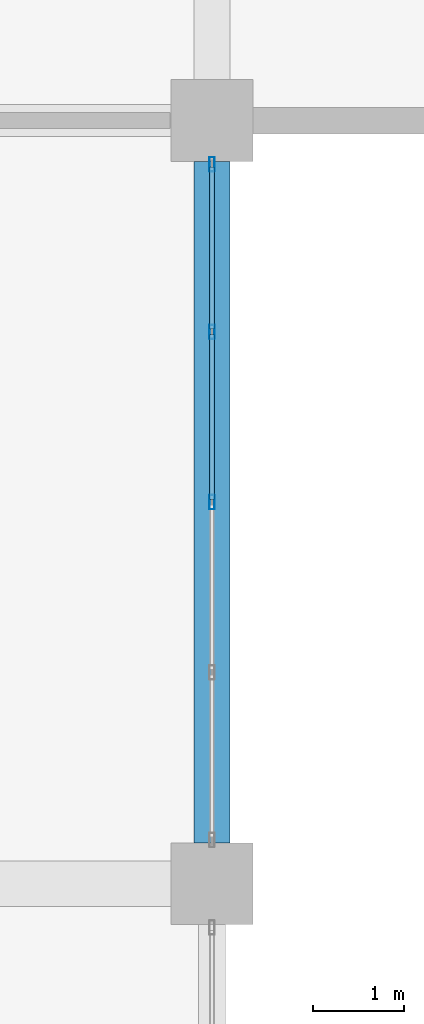
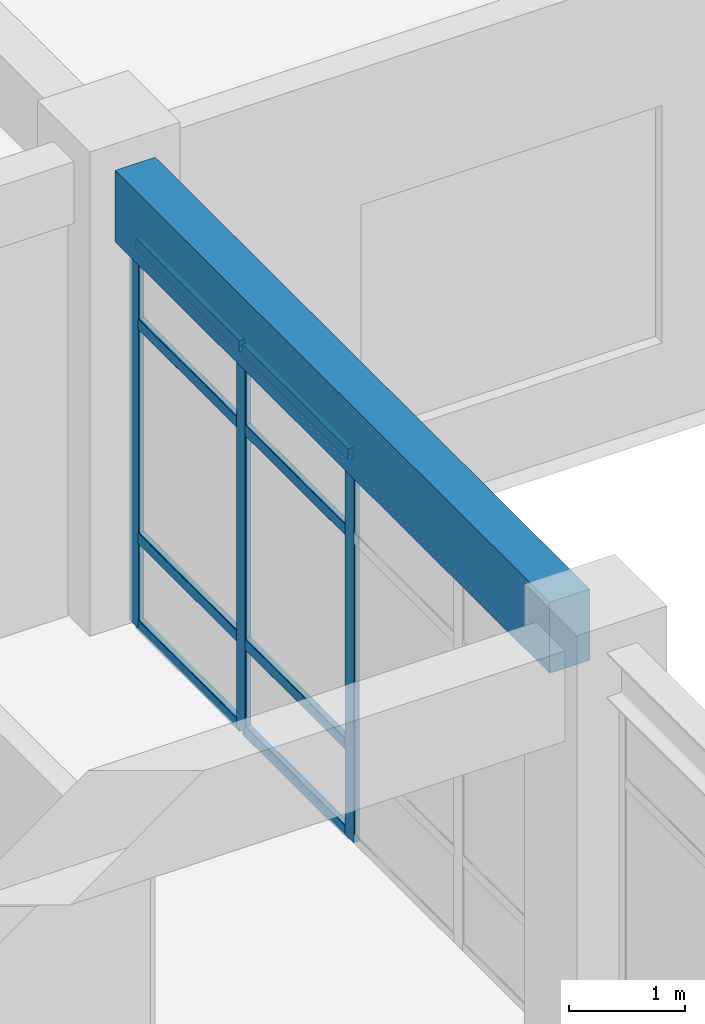
# One storey, part 75 of 120: 11 members, 1 beam, 1 element without a shape of its own.
"""IFC4 building model written with IfcOpenShell, lengths in metres."""

from ifc_helpers import new_model, si_unit, derived_unit, direction, frame, origin, origin_2d, place, context, subcontext, project, spatial, rectangle, hollow_rectangle, extrude, material, layer, layer_set, material_profile, profile_set, type_object, element, aggregate, save


model = new_model("IFC4")

# Units and contexts
model_context = context("Model", 3, precision=1e-05, world=origin(), true_north=direction((0.0, 1.0)))
body_context = subcontext(model_context, "Body", "Model", "MODEL_VIEW")
ifc_project = project(units=[si_unit("LENGTHUNIT", "METRE"), si_unit("AREAUNIT", "SQUARE_METRE"), si_unit("VOLUMEUNIT", "CUBIC_METRE"), si_unit("PLANEANGLEUNIT", "RADIAN"), si_unit("MASSUNIT", "GRAM", prefix="KILO"), derived_unit("THERMALTRANSMITTANCEUNIT", [(si_unit("MASSUNIT", "GRAM", prefix="KILO"), 1), (si_unit("TIMEUNIT", "SECOND"), -3), (si_unit("THERMODYNAMICTEMPERATUREUNIT", "KELVIN"), -1)])], contexts=[model_context])

# Site, building, storey
site_placement = place(None, origin())
site = spatial("IfcSite", under=ifc_project, at=site_placement, CompositionType="ELEMENT")
building_placement = place(site_placement, origin())
building = spatial("IfcBuilding", under=site, at=building_placement, Name="Qinzheling Arcade Emporium", CompositionType="ELEMENT")
storey_placement = place(building_placement, frame((0.0, 0.0, 11.39990234375)))
storey = spatial("IfcBuildingStorey", under=building, at=storey_placement, Name="L03", CompositionType="ELEMENT", Elevation=11.39990234375)

# Curtain wall, members
ifc_material_1 = material(Name="Anodised aluminium and solar-control double glazing", Category="aluminium")
ifc_layer = layer(ifc_material_1, 0.159912109375, Name="Anodised aluminium and solar-control double glazing", Category="aluminium")
ifc_layer_set = layer_set([ifc_layer], Name="Anodised aluminium and solar-control double glazing")
curtain_wall_type = type_object("IfcCurtainWallType", Name="Arcade Portal Glazed Curtain Wall", PredefinedType="NOTDEFINED", material=ifc_layer_set)
curtain_wall_placement = place(storey_placement, origin())
curtain_wall = element("IfcCurtainWall", 1, at=curtain_wall_placement, inside=storey, type_object=curtain_wall_type, Name="Curtain Wall CW-L03-200", PredefinedType="NOTDEFINED")
ifc_material_2 = material(Name="Anodised aluminium 6063-T6", Category="aluminium")
ifc_material_profile_1 = material_profile(ifc_material_2, hollow_rectangle(XDim=0.06005859375, YDim=0.159912109375, WallThickness=0.00390625, InnerFilletRadius=0.00390625, OuterFilletRadius=0.008056640625, at=origin_2d()), Name="RHS 160x60x4", Category="aluminium")
ifc_profile_set_1 = profile_set([ifc_material_profile_1], Name="Anodised aluminium 6063-T6")
member_type_1 = type_object("IfcMemberType", Name="Curtain Wall Mullion RHS160x60", PredefinedType="MULLION", material=ifc_profile_set_1)
member_1_placement = place(storey_placement, frame((130.5, 73.318115234375, 0.0), z_axis=(0.0, 0.0, 1.0), x_axis=(1.0, 0.0, 0.0)))
member_1 = element("IfcMember", 2, at=member_1_placement, type_object=member_type_1, Name="CW05 mullion 1", PredefinedType="MULLION", context=body_context, shape_type="SweptSolid", body=[
    extrude(hollow_rectangle(XDim=0.06005859375, YDim=0.159912109375, WallThickness=0.00390625, InnerFilletRadius=0.00390625, OuterFilletRadius=0.008056640625, at=origin_2d()), origin(), (0.0, 0.0, 1.0), 4.05517578125),
])
member_2_placement = place(storey_placement, frame((130.5, 71.47412109375, 0.0), z_axis=(0.0, 0.0, 1.0), x_axis=(1.0, 0.0, 0.0)))
member_2 = element("IfcMember", 3, at=member_2_placement, type_object=member_type_1, Name="CW05 mullion 2", PredefinedType="MULLION", context=body_context, shape_type="SweptSolid", body=[
    extrude(hollow_rectangle(XDim=0.06005859375, YDim=0.159912109375, WallThickness=0.00390625, InnerFilletRadius=0.00390625, OuterFilletRadius=0.008056640625, at=origin_2d()), origin(), (0.0, 0.0, 1.0), 4.05517578125),
])
member_3_placement = place(storey_placement, frame((130.5, 69.60009765625, 0.0), z_axis=(0.0, 0.0, 1.0), x_axis=(1.0, 0.0, 0.0)))
member_3 = element("IfcMember", 4, at=member_3_placement, type_object=member_type_1, Name="CW05 mullion 3", PredefinedType="MULLION", context=body_context, shape_type="SweptSolid", body=[
    extrude(hollow_rectangle(XDim=0.06005859375, YDim=0.159912109375, WallThickness=0.00390625, InnerFilletRadius=0.00390625, OuterFilletRadius=0.008056640625, at=origin_2d()), origin(), (0.0, 0.0, 1.0), 4.05517578125),
])
ifc_material_profile_2 = material_profile(ifc_material_2, hollow_rectangle(XDim=0.06005859375, YDim=0.1201171875, WallThickness=0.00390625, InnerFilletRadius=0.00390625, OuterFilletRadius=0.008056640625, at=origin_2d()), Name="RHS 120x60x4", Category="aluminium")
ifc_profile_set_2 = profile_set([ifc_material_profile_2], Name="Anodised aluminium 6063-T6")
member_type_2 = type_object("IfcMemberType", Name="Curtain Wall Transom RHS120x60", PredefinedType="USERDEFINED", material=ifc_profile_set_2)
member_4_placement = place(storey_placement, frame((130.5, 73.2880859375, 0.030029296875), z_axis=(0.0, -1.0, 0.0), x_axis=(1.0, 0.0, 0.0)))
member_4 = element("IfcMember", 5, at=member_4_placement, type_object=member_type_2, Name="CW05 transom 1.1", ObjectType="TRANSOM", PredefinedType="USERDEFINED", context=body_context, shape_type="SweptSolid", body=[
    extrude(hollow_rectangle(XDim=0.06005859375, YDim=0.1201171875, WallThickness=0.00390625, InnerFilletRadius=0.00390625, OuterFilletRadius=0.008056640625, at=origin_2d()), origin(), (0.0, 0.0, 1.0), 1.7841796875),
])
member_5_placement = place(storey_placement, frame((130.5, 73.2880859375, 0.9501953125), z_axis=(0.0, -1.0, 0.0), x_axis=(1.0, 0.0, 0.0)))
member_5 = element("IfcMember", 6, at=member_5_placement, type_object=member_type_2, Name="CW05 transom 1.2", ObjectType="TRANSOM", PredefinedType="USERDEFINED", context=body_context, shape_type="SweptSolid", body=[
    extrude(hollow_rectangle(XDim=0.06005859375, YDim=0.1201171875, WallThickness=0.00390625, InnerFilletRadius=0.00390625, OuterFilletRadius=0.008056640625, at=origin_2d()), origin(), (0.0, 0.0, 1.0), 1.7841796875),
])
member_6_placement = place(storey_placement, frame((130.5, 73.2880859375, 3.205078125), z_axis=(0.0, -1.0, 0.0), x_axis=(1.0, 0.0, 0.0)))
member_6 = element("IfcMember", 7, at=member_6_placement, type_object=member_type_2, Name="CW05 transom 1.3", ObjectType="TRANSOM", PredefinedType="USERDEFINED", context=body_context, shape_type="SweptSolid", body=[
    extrude(hollow_rectangle(XDim=0.06005859375, YDim=0.1201171875, WallThickness=0.00390625, InnerFilletRadius=0.00390625, OuterFilletRadius=0.008056640625, at=origin_2d()), origin(), (0.0, 0.0, 1.0), 1.7841796875),
])
member_7_placement = place(storey_placement, frame((130.5, 73.2880859375, 4.025146484375), z_axis=(0.0, -1.0, 0.0), x_axis=(1.0, 0.0, 0.0)))
member_7 = element("IfcMember", 8, at=member_7_placement, type_object=member_type_2, Name="CW05 transom 1.4", ObjectType="TRANSOM", PredefinedType="USERDEFINED", context=body_context, shape_type="SweptSolid", body=[
    extrude(hollow_rectangle(XDim=0.06005859375, YDim=0.1201171875, WallThickness=0.00390625, InnerFilletRadius=0.00390625, OuterFilletRadius=0.008056640625, at=origin_2d()), origin(), (0.0, 0.0, 1.0), 1.7841796875),
])
member_8_placement = place(storey_placement, frame((130.5, 71.444091796875, 0.030029296875), z_axis=(0.0, -1.0, 0.0), x_axis=(1.0, 0.0, 0.0)))
member_8 = element("IfcMember", 9, at=member_8_placement, type_object=member_type_2, Name="CW05 transom 2.1", ObjectType="TRANSOM", PredefinedType="USERDEFINED", context=body_context, shape_type="SweptSolid", body=[
    extrude(hollow_rectangle(XDim=0.06005859375, YDim=0.1201171875, WallThickness=0.00390625, InnerFilletRadius=0.00390625, OuterFilletRadius=0.008056640625, at=origin_2d()), origin(), (0.0, 0.0, 1.0), 1.814208984375),
])
member_9_placement = place(storey_placement, frame((130.5, 71.444091796875, 0.9501953125), z_axis=(0.0, -1.0, 0.0), x_axis=(1.0, 0.0, 0.0)))
member_9 = element("IfcMember", 10, at=member_9_placement, type_object=member_type_2, Name="CW05 transom 2.2", ObjectType="TRANSOM", PredefinedType="USERDEFINED", context=body_context, shape_type="SweptSolid", body=[
    extrude(hollow_rectangle(XDim=0.06005859375, YDim=0.1201171875, WallThickness=0.00390625, InnerFilletRadius=0.00390625, OuterFilletRadius=0.008056640625, at=origin_2d()), origin(), (0.0, 0.0, 1.0), 1.814208984375),
])
member_10_placement = place(storey_placement, frame((130.5, 71.444091796875, 3.205078125), z_axis=(0.0, -1.0, 0.0), x_axis=(1.0, 0.0, 0.0)))
member_10 = element("IfcMember", 11, at=member_10_placement, type_object=member_type_2, Name="CW05 transom 2.3", ObjectType="TRANSOM", PredefinedType="USERDEFINED", context=body_context, shape_type="SweptSolid", body=[
    extrude(hollow_rectangle(XDim=0.06005859375, YDim=0.1201171875, WallThickness=0.00390625, InnerFilletRadius=0.00390625, OuterFilletRadius=0.008056640625, at=origin_2d()), origin(), (0.0, 0.0, 1.0), 1.814208984375),
])
member_11_placement = place(storey_placement, frame((130.5, 71.444091796875, 4.025146484375), z_axis=(0.0, -1.0, 0.0), x_axis=(1.0, 0.0, 0.0)))
member_11 = element("IfcMember", 12, at=member_11_placement, type_object=member_type_2, Name="CW05 transom 2.4", ObjectType="TRANSOM", PredefinedType="USERDEFINED", context=body_context, shape_type="SweptSolid", body=[
    extrude(hollow_rectangle(XDim=0.06005859375, YDim=0.1201171875, WallThickness=0.00390625, InnerFilletRadius=0.00390625, OuterFilletRadius=0.008056640625, at=origin_2d()), origin(), (0.0, 0.0, 1.0), 1.814208984375),
])
aggregate(curtain_wall, [member_1, member_2, member_3, member_4, member_5, member_6, member_7, member_8, member_9, member_10, member_11])

# Beam
ifc_material_3 = material(Name="Concrete C40", Category="concrete")
ifc_material_profile_3 = material_profile(ifc_material_3, rectangle(XDim=0.39990234375, YDim=0.75, at=origin_2d()), Name="RC 400x750", Category="concrete")
ifc_profile_set_3 = profile_set([ifc_material_profile_3], Name="Concrete C40")
beam_type = type_object("IfcBeamType", Name="RC Interior Tie Beam 400x750 C40", PredefinedType="BEAM", material=ifc_profile_set_3)
beam_placement = place(storey_placement, frame((130.5, 65.85009765625, 4.445068359375), z_axis=(0.0, 1.0, 0.0), x_axis=(-1.0, 0.0, 0.0)))
element("IfcBeam", 13, at=beam_placement, inside=storey, type_object=beam_type, Name="Beam BM-L03-Y-16-H", PredefinedType="BEAM", context=body_context, shape_type="SweptSolid", body=[
    extrude(rectangle(XDim=0.39990234375, YDim=0.75, at=origin_2d()), origin(), (0.0, 0.0, 1.0), 7.5),
])

save(model, "model.ifc")
